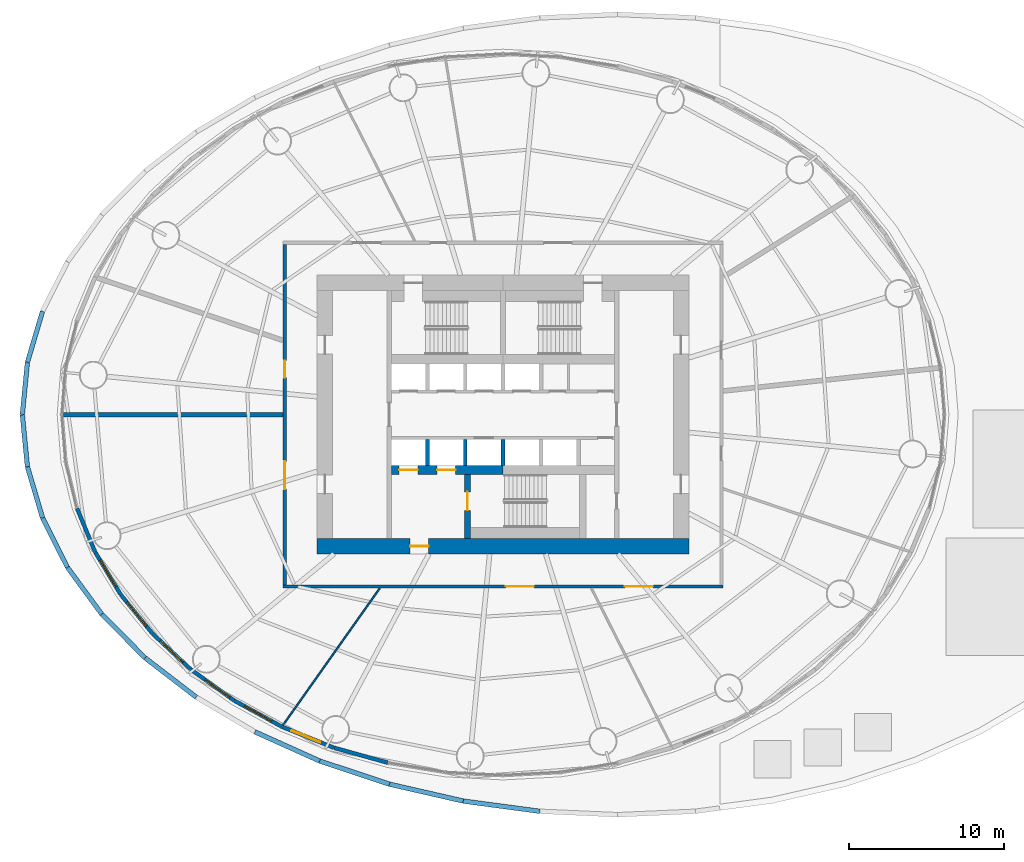
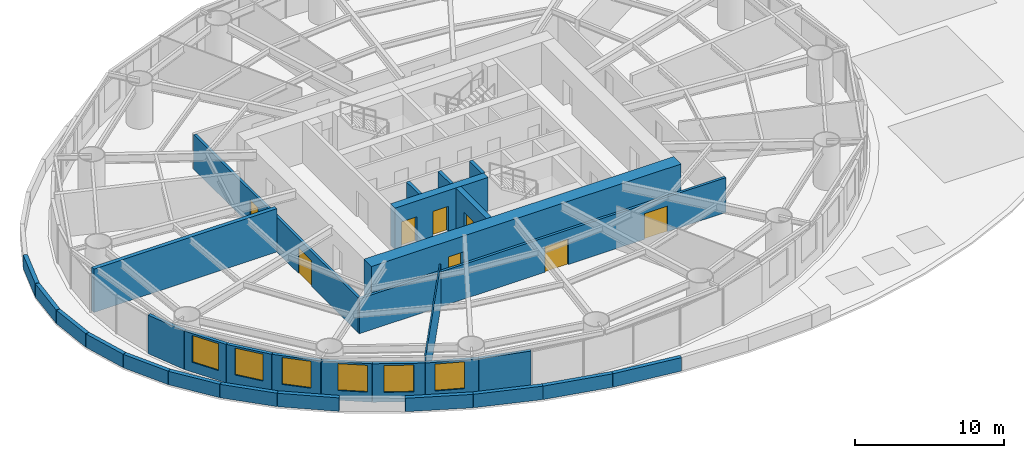
# One storey, part 7 of 11: 30 walls, 8 doors, 6 windows, 14 openings.
"""IFC4 building model written with IfcOpenShell, lengths in metres."""

from ifc_helpers import new_model, si_unit, direction, frame, frame_2d, origin, place, context, subcontext, project, spatial, rectangle, extrude, material, layer, layer_set, type_object, element, fill, save


model = new_model("IFC4")

# Units and contexts
model_context = context("Model", 3, precision=1e-05, world=origin(), true_north=direction((0.0, 1.0)))
body_context = subcontext(model_context, "Body", "Model", "MODEL_VIEW")
ifc_project = project(units=[si_unit("LENGTHUNIT", "METRE"), si_unit("AREAUNIT", "SQUARE_METRE"), si_unit("VOLUMEUNIT", "CUBIC_METRE"), si_unit("PLANEANGLEUNIT", "RADIAN"), si_unit("MASSUNIT", "GRAM", prefix="KILO")], contexts=[model_context])

# Site, building, storey
site_placement = place(None, origin())
site = spatial("IfcSite", under=ifc_project, at=site_placement, CompositionType="ELEMENT")
building_placement = place(site_placement, origin())
building = spatial("IfcBuilding", under=site, at=building_placement, Name="Vermilion Reach Broadcast Tower", CompositionType="ELEMENT")
storey_placement = place(building_placement, frame((0.0, 0.0, 36.0)))
storey = spatial("IfcBuildingStorey", under=building, at=storey_placement, Name="L05", CompositionType="ELEMENT", Elevation=36.0)

# Wall, opening, door
ifc_material_1 = material(Name="Concrete C70", Category="concrete")
ifc_layer_1 = layer(ifc_material_1, 0.39990234375)
ifc_layer_set_1 = layer_set([ifc_layer_1], Name="Core inner wall 400 mm Concrete C70")
wall_type_1 = type_object("IfcWallType", Name="Core inner wall 400 mm Concrete C70", PredefinedType="SHEAR", material=ifc_layer_set_1)
wall_1_placement = place(storey_placement, frame((-8.300048828125, -3.8798828125, 0.0), z_axis=(0.0, 0.0, 1.0), x_axis=(0.0, -1.0, 0.0)))
wall_1 = element("IfcWall", 1, at=wall_1_placement, inside=storey, type_object=wall_type_1, Name="L05 core wall wa", PredefinedType="SHEAR", context=body_context, shape_type="SweptSolid", body=[
    extrude(rectangle(XDim=4.1201171875, YDim=0.39990234375, at=frame_2d((2.06005859375, 0.0))), origin(), (0.0, 0.0, 1.0), 3.39990234375),
])
opening_1_placement = place(wall_1_placement, frame((1.110107421875, 0.0, 0.0)))
opening_1 = element("IfcOpeningElement", 2, at=opening_1_placement, cuts=wall_1, Name="Opening D01", PredefinedType="OPENING", context=body_context, shape_type="SweptSolid", body=[
    extrude(rectangle(XDim=1.199951171875, YDim=2.10009765625, at=frame_2d((0.60009765625, 1.050048828125))), frame((0.0, 0.2099609375, 0.0), z_axis=(0.0, -1.0, 0.0), x_axis=(1.0, 0.0, 0.0)), (0.0, 0.0, 1.0), 0.419921875),
])
ifc_material_2 = material(Name="Painted steel fire door", Category="steel")
door_type_1 = type_object("IfcDoorType", Name="Stair door 1200 x 2100", OperationType="DOUBLE_DOOR_SINGLE_SWING", PredefinedType="NOTDEFINED", material=ifc_material_2)
door_1_placement = place(opening_1_placement, origin())
door_1 = element("IfcDoor", 3, at=door_1_placement, inside=storey, type_object=door_type_1, Name="L05 stair door ST3", OperationType="DOUBLE_DOOR_SINGLE_SWING", OverallHeight=2.10009765625, OverallWidth=1.199951171875, PredefinedType="NOTDEFINED", context=body_context, shape_type="SweptSolid", body=[
    extrude(rectangle(XDim=1.199951171875, YDim=2.10009765625, at=frame_2d((0.60009765625, 1.050048828125))), frame((0.0, 0.02490234375, 0.0), z_axis=(0.0, -1.0, 0.0), x_axis=(1.0, 0.0, 0.0)), (0.0, 0.0, 1.0), 0.050048828125),
])
fill(opening_1, door_1)

# Wall, openings, doors
ifc_material_3 = material(Name="Concrete C70", Category="concrete")
ifc_layer_2 = layer(ifc_material_3, 0.60009765625)
ifc_layer_set_2 = layer_set([ifc_layer_2], Name="Core inner wall 600 mm Concrete C70")
wall_type_2 = type_object("IfcWallType", Name="Core inner wall 600 mm Concrete C70", PredefinedType="SHEAR", material=ifc_layer_set_2)
wall_2_placement = place(storey_placement, frame((-13.199951171875, -3.580078125, 0.0), z_axis=(0.0, 0.0, 1.0), x_axis=(1.0, 0.0, 0.0)))
wall_2 = element("IfcWall", 4, at=wall_2_placement, inside=storey, type_object=wall_type_2, Name="L05 core wall wisW", PredefinedType="SHEAR", context=body_context, shape_type="SweptSolid", body=[
    extrude(rectangle(XDim=7.199951171875, YDim=0.60009765625, at=frame_2d((3.60009765625, 0.0))), origin(), (0.0, 0.0, 1.0), 3.39990234375),
])
opening_2_placement = place(wall_2_placement, frame((0.495849609375, 0.0, 0.0)))
opening_2 = element("IfcOpeningElement", 5, at=opening_2_placement, cuts=wall_2, Name="Opening LD1", PredefinedType="OPENING", context=body_context, shape_type="SweptSolid", body=[
    extrude(rectangle(XDim=1.199951171875, YDim=2.10009765625, at=frame_2d((0.60009765625, 1.050048828125))), frame((0.0, 0.31005859375, 0.0), z_axis=(0.0, -1.0, 0.0), x_axis=(1.0, 0.0, 0.0)), (0.0, 0.0, 1.0), 0.6201171875),
])
opening_3_placement = place(wall_2_placement, frame((2.9375, 0.0, 0.0)))
opening_3 = element("IfcOpeningElement", 6, at=opening_3_placement, cuts=wall_2, Name="Opening LD1", PredefinedType="OPENING", context=body_context, shape_type="SweptSolid", body=[
    extrude(rectangle(XDim=1.199951171875, YDim=2.10009765625, at=frame_2d((0.60009765625, 1.050048828125))), frame((0.0, 0.31005859375, 0.0), z_axis=(0.0, -1.0, 0.0), x_axis=(1.0, 0.0, 0.0)), (0.0, 0.0, 1.0), 0.6201171875),
])
ifc_material_4 = material(Name="Stainless steel", Category="steel")
door_type_2 = type_object("IfcDoorType", Name="Landing door 1200 x 2100", OperationType="DOUBLE_DOOR_SLIDING", PredefinedType="NOTDEFINED", material=ifc_material_4)
door_2_placement = place(opening_2_placement, origin())
door_2 = element("IfcDoor", 7, at=door_2_placement, inside=storey, type_object=door_type_2, Name="L05 landing door FF1", OperationType="DOUBLE_DOOR_SLIDING", OverallHeight=2.10009765625, OverallWidth=1.199951171875, PredefinedType="NOTDEFINED", context=body_context, shape_type="SweptSolid", body=[
    extrude(rectangle(XDim=1.199951171875, YDim=2.10009765625, at=frame_2d((0.60009765625, 1.050048828125))), frame((0.0, 0.02490234375, 0.0), z_axis=(0.0, -1.0, 0.0), x_axis=(1.0, 0.0, 0.0)), (0.0, 0.0, 1.0), 0.050048828125),
])
fill(opening_2, door_2)
door_3_placement = place(opening_3_placement, origin())
door_3 = element("IfcDoor", 8, at=door_3_placement, inside=storey, type_object=door_type_2, Name="L05 landing door FF2", OperationType="DOUBLE_DOOR_SLIDING", OverallHeight=2.10009765625, OverallWidth=1.199951171875, PredefinedType="NOTDEFINED", context=body_context, shape_type="SweptSolid", body=[
    extrude(rectangle(XDim=1.199951171875, YDim=2.10009765625, at=frame_2d((0.60009765625, 1.050048828125))), frame((0.0, 0.02490234375, 0.0), z_axis=(0.0, -1.0, 0.0), x_axis=(1.0, 0.0, 0.0)), (0.0, 0.0, 1.0), 0.050048828125),
])
fill(opening_3, door_3)

# Wall, opening, door
ifc_material_5 = material(Name="Concrete C70", Category="concrete")
ifc_layer_3 = layer(ifc_material_5, 1.0)
ifc_layer_set_3 = layer_set([ifc_layer_3], Name="Core outer wall 1000 mm Concrete C70")
wall_type_3 = type_object("IfcWallType", Name="Core outer wall 1000 mm Concrete C70", PredefinedType="SHEAR", material=ifc_layer_set_3)
wall_3_placement = place(storey_placement, frame((-18.0, -8.5, 0.0), z_axis=(0.0, 0.0, 1.0), x_axis=(1.0, 0.0, 0.0)))
wall_3 = element("IfcWall", 9, at=wall_3_placement, inside=storey, type_object=wall_type_3, Name="L05 core wall os", PredefinedType="SHEAR", context=body_context, shape_type="SweptSolid", body=[
    extrude(rectangle(XDim=24.0, YDim=1.0, at=frame_2d((12.0, 0.0))), origin(), (0.0, 0.0, 1.0), 3.39990234375),
])
opening_4_placement = place(wall_3_placement, frame((6.0, 0.0, 0.0)))
opening_4 = element("IfcOpeningElement", 10, at=opening_4_placement, cuts=wall_3, Name="Opening D02", PredefinedType="OPENING", context=body_context, shape_type="SweptSolid", body=[
    extrude(rectangle(XDim=1.199951171875, YDim=2.10009765625, at=frame_2d((0.60009765625, 1.050048828125))), frame((0.0, 0.510009765625, 0.0), z_axis=(0.0, -1.0, 0.0), x_axis=(1.0, 0.0, 0.0)), (0.0, 0.0, 1.0), 1.02001953125),
])
ifc_material_6 = material(Name="Painted steel fire door", Category="steel")
door_type_3 = type_object("IfcDoorType", Name="Firefighting lobby door 1200 x 2100", OperationType="DOUBLE_DOOR_SINGLE_SWING", PredefinedType="NOTDEFINED", material=ifc_material_6)
door_4_placement = place(opening_4_placement, origin())
door_4 = element("IfcDoor", 11, at=door_4_placement, inside=storey, type_object=door_type_3, Name="L05 ffdoor door FFL", OperationType="DOUBLE_DOOR_SINGLE_SWING", OverallHeight=2.10009765625, OverallWidth=1.199951171875, PredefinedType="NOTDEFINED", context=body_context, shape_type="SweptSolid", body=[
    extrude(rectangle(XDim=1.199951171875, YDim=2.10009765625, at=frame_2d((0.60009765625, 1.050048828125))), frame((0.0, 0.02490234375, 0.0), z_axis=(0.0, -1.0, 0.0), x_axis=(1.0, 0.0, 0.0)), (0.0, 0.0, 1.0), 0.050048828125),
])
fill(opening_4, door_4)

# Walls
ifc_material_7 = material(Name="Concrete C50", Category="concrete")
ifc_layer_4 = layer(ifc_material_7, 0.25)
ifc_layer_set_4 = layer_set([ifc_layer_4], Name="Core shaft wall 250 mm Concrete C50")
wall_type_4 = type_object("IfcWallType", Name="Core shaft wall 250 mm Concrete C50", PredefinedType="SHEAR", material=ifc_layer_set_4)
for number, where, z_axis, x_axis, name in (
    (12, (-10.88330078125, -1.60009765625, 0.0), (0.0, 0.0, 1.0), (0.0, -1.0, 0.0), "L05 core wall psS0"),
    (13, (-8.441650390625, -1.60009765625, 0.0), (0.0, 0.0, 1.0), (0.0, -1.0, 0.0), "L05 core wall psS1"),
    (14, (-6.0, -1.60009765625, 0.0), (0.0, 0.0, 1.0), (0.0, -1.0, 0.0), "L05 core wall psS2"),
):
    element("IfcWall", number, at=place(storey_placement, frame(where, z_axis=z_axis, x_axis=x_axis)), inside=storey, type_object=wall_type_4, Name=name, PredefinedType="SHEAR", context=body_context, shape_type="SweptSolid", body=[
        extrude(rectangle(XDim=1.679931640625, YDim=0.25, at=frame_2d((0.83984375, 0.0))), origin(), (0.0, 0.0, 1.0), 3.39990234375),
    ])
ifc_material_8 = material(Name="Plasterboard on steel stud", Category="steel")
ifc_layer_5 = layer(ifc_material_8, 0.10009765625)
ifc_layer_set_5 = layer_set([ifc_layer_5], Name="Partition 100 steel stud")
wall_type_5 = type_object("IfcWallType", Name="Partition 100 steel stud", PredefinedType="PARTITIONING", material=ifc_layer_set_5)
wall_4_placement = place(storey_placement, frame((-20.21826171875, -20.053955078125, 0.0), z_axis=(0.0, 0.0, 1.0), x_axis=(0.578391097438, 0.815759608221, 0.0)))
element("IfcWall", 15, at=wall_4_placement, inside=storey, type_object=wall_type_5, Name="Partition 5.07", PredefinedType="PARTITIONING", context=body_context, shape_type="SweptSolid", body=[
    extrude(rectangle(XDim=10.818115234375, YDim=0.10009765625, at=frame_2d((5.4091796875, 0.0))), origin(), (0.0, 0.0, 1.0), 3.550048828125),
])
ifc_material_9 = material(Name="Double-leaf plasterboard on isolated steel stud", Category="steel")
ifc_layer_6 = layer(ifc_material_9, 0.300048828125)
ifc_layer_set_6 = layer_set([ifc_layer_6], Name="Partition 300 acoustic double leaf")
wall_type_6 = type_object("IfcWallType", Name="Partition 300 acoustic double leaf", PredefinedType="PARTITIONING", material=ifc_layer_set_6)
wall_5_placement = place(storey_placement, frame((-34.375, 0.0, 0.0), z_axis=(0.0, 0.0, 1.0), x_axis=(1.0, 0.0, 0.0)))
element("IfcWall", 16, at=wall_5_placement, inside=storey, type_object=wall_type_6, Name="Partition 5.06", PredefinedType="PARTITIONING", context=body_context, shape_type="SweptSolid", body=[
    extrude(rectangle(XDim=14.175048828125, YDim=0.300048828125, at=frame_2d((7.08740234375, 0.0))), origin(), (0.0, 0.0, 1.0), 3.550048828125),
])
ifc_material_10 = material(Name="Precast concrete C40/50", Category="concrete")
ifc_layer_7 = layer(ifc_material_10, 0.300048828125)
ifc_layer_set_7 = layer_set([ifc_layer_7], Name="Podium parapet 300")
wall_type_7 = type_object("IfcWallType", Name="Podium parapet 300", PredefinedType="PARAPET", material=ifc_layer_set_7)
wall_6_placement = place(storey_placement, frame((-35.750244140625, 6.6611328125, 0.0), z_axis=(0.0, 0.0, 1.0), x_axis=(-0.283235812456, -0.959050298234, 0.0)))
element("IfcWall", 17, at=wall_6_placement, inside=storey, type_object=wall_type_7, Name="Podium parapet 13", PredefinedType="PARAPET", context=body_context, shape_type="SweptSolid", body=[
    extrude(rectangle(XDim=3.4228515625, YDim=0.300048828125, at=frame_2d((1.71142578125, 0.0))), origin(), (0.0, 0.0, 1.0), 1.10009765625),
])
for number, where, z_axis, x_axis, name in (
    (18, (-36.72509765625, 3.350830078125, 0.0), (0.0, 0.0, 1.0), (-0.096864175375, -0.995297609526, 0.0), "Podium parapet 14"),
    (19, (-37.0498046875, -0.014404296875, 0.0), (0.0, 0.0, 1.0), (0.096864175375, -0.995297609526, 0.0), "Podium parapet 15"),
):
    element("IfcWall", number, at=place(storey_placement, frame(where, z_axis=z_axis, x_axis=x_axis)), inside=storey, type_object=wall_type_7, Name=name, PredefinedType="PARAPET", context=body_context, shape_type="SweptSolid", body=[
        extrude(rectangle(XDim=3.352294921875, YDim=0.300048828125, at=frame_2d((1.67626953125, 0.0))), origin(), (0.0, 0.0, 1.0), 1.10009765625),
    ])
wall_7_placement = place(storey_placement, frame((-36.7197265625, -3.37841796875, 0.0), z_axis=(0.0, 0.0, 1.0), x_axis=(0.283235812456, -0.959050298234, 0.0)))
element("IfcWall", 20, at=wall_7_placement, inside=storey, type_object=wall_type_7, Name="Podium parapet 16", PredefinedType="PARAPET", context=body_context, shape_type="SweptSolid", body=[
    extrude(rectangle(XDim=3.4228515625, YDim=0.300048828125, at=frame_2d((1.71142578125, 0.0))), origin(), (0.0, 0.0, 1.0), 1.10009765625),
])
wall_8_placement = place(storey_placement, frame((-35.740478515625, -6.685791015625, 0.0), z_axis=(0.0, 0.0, 1.0), x_axis=(0.450095618006, -0.892980366331, 0.0)))
element("IfcWall", 21, at=wall_8_placement, inside=storey, type_object=wall_type_7, Name="Podium parapet 17", PredefinedType="PARAPET", context=body_context, shape_type="SweptSolid", body=[
    extrude(rectangle(XDim=3.554931640625, YDim=0.300048828125, at=frame_2d((1.77734375, 0.0))), origin(), (0.0, 0.0, 1.0), 1.10009765625),
])
wall_9_placement = place(storey_placement, frame((-34.127685546875, -9.881103515625, 0.0), z_axis=(0.0, 0.0, 1.0), x_axis=(0.590742651478, -0.806860037258, 0.0)))
element("IfcWall", 22, at=wall_9_placement, inside=storey, type_object=wall_type_7, Name="Podium parapet 18", PredefinedType="PARAPET", context=body_context, shape_type="SweptSolid", body=[
    extrude(rectangle(XDim=3.733642578125, YDim=0.300048828125, at=frame_2d((1.86669921875, 0.0))), origin(), (0.0, 0.0, 1.0), 1.10009765625),
])
wall_10_placement = place(storey_placement, frame((-31.90771484375, -12.910400390625, 0.0), z_axis=(0.0, 0.0, 1.0), x_axis=(0.704282546554, -0.709919780412, 0.0)))
element("IfcWall", 23, at=wall_10_placement, inside=storey, type_object=wall_type_7, Name="Podium parapet 19", PredefinedType="PARAPET", context=body_context, shape_type="SweptSolid", body=[
    extrude(rectangle(XDim=3.941162109375, YDim=0.300048828125, at=frame_2d((1.970703125, 0.0))), origin(), (0.0, 0.0, 1.0), 1.10009765625),
])
wall_11_placement = place(storey_placement, frame((-29.117431640625, -15.72119140625, 0.0), z_axis=(0.0, 0.0, 1.0), x_axis=(0.793088450724, -0.609106484392, 0.0)))
element("IfcWall", 24, at=wall_11_placement, inside=storey, type_object=wall_type_7, Name="Podium parapet 20", PredefinedType="PARAPET", context=body_context, shape_type="SweptSolid", body=[
    extrude(rectangle(XDim=4.16015625, YDim=0.300048828125, at=frame_2d((2.080078125, 0.0))), origin(), (0.0, 0.0, 1.0), 1.10009765625),
])
wall_12_placement = place(storey_placement, frame((-22.0224609375, -20.49755859375, 0.0), z_axis=(0.0, 0.0, 1.0), x_axis=(0.911912513487, -0.410384658274, 0.0)))
element("IfcWall", 25, at=wall_12_placement, inside=storey, type_object=wall_type_7, Name="Podium parapet 22", PredefinedType="PARAPET", context=body_context, shape_type="SweptSolid", body=[
    extrude(rectangle(XDim=4.572509765625, YDim=0.300048828125, at=frame_2d((2.2861328125, 0.0))), origin(), (0.0, 0.0, 1.0), 1.10009765625),
])
wall_13_placement = place(storey_placement, frame((-17.8388671875, -22.37939453125, 0.0), z_axis=(0.0, 0.0, 1.0), x_axis=(0.949007114017, -0.315254655071, 0.0)))
element("IfcWall", 26, at=wall_13_placement, inside=storey, type_object=wall_type_7, Name="Podium parapet 23", PredefinedType="PARAPET", context=body_context, shape_type="SweptSolid", body=[
    extrude(rectangle(XDim=4.74267578125, YDim=0.300048828125, at=frame_2d((2.371337890625, 0.0))), origin(), (0.0, 0.0, 1.0), 1.10009765625),
])
wall_14_placement = place(storey_placement, frame((-13.32470703125, -23.878173828125, 0.0), z_axis=(0.0, 0.0, 1.0), x_axis=(0.974849806662, -0.222862860186, 0.0)))
element("IfcWall", 27, at=wall_14_placement, inside=storey, type_object=wall_type_7, Name="Podium parapet 24", PredefinedType="PARAPET", context=body_context, shape_type="SweptSolid", body=[
    extrude(rectangle(XDim=4.876953125, YDim=0.300048828125, at=frame_2d((2.4384765625, 0.0))), origin(), (0.0, 0.0, 1.0), 1.10009765625),
])
wall_15_placement = place(storey_placement, frame((-8.557373046875, -24.967529296875, 0.0), z_axis=(0.0, 0.0, 1.0), x_axis=(0.991144901641, -0.132784727852, 0.0)))
element("IfcWall", 28, at=wall_15_placement, inside=storey, type_object=wall_type_7, Name="Podium parapet 25", PredefinedType="PARAPET", context=body_context, shape_type="SweptSolid", body=[
    extrude(rectangle(XDim=4.9697265625, YDim=0.300048828125, at=frame_2d((2.48486328125, 0.0))), origin(), (0.0, 0.0, 1.0), 1.10009765625),
])
ifc_material_11 = material(Name="Terracotta rainscreen cladding", Category="masonry")
ifc_layer_8 = layer(ifc_material_11, 0.25)
ifc_layer_set_8 = layer_set([ifc_layer_8], Name="Terracotta rainscreen wall 250")
wall_type_8 = type_object("IfcWallType", Name="Terracotta rainscreen wall 250", PredefinedType="SOLIDWALL", material=ifc_layer_set_8)
wall_16_placement = place(storey_placement, frame((-33.512451171875, -6.065673828125, 0.0), z_axis=(0.0, 0.0, 1.0), x_axis=(0.382665181283, -0.923887092146, 0.0)))
element("IfcWall", 29, at=wall_16_placement, inside=storey, type_object=wall_type_8, Name="External wall L05 26", PredefinedType="SOLIDWALL", context=body_context, shape_type="SweptSolid", body=[
    extrude(rectangle(XDim=3.05029296875, YDim=0.25, at=frame_2d((1.525146484375, 0.0))), origin(), (0.0, 0.0, 1.0), 3.14990234375),
])

# Wall, opening, window
wall_17_placement = place(storey_placement, frame((-32.3330078125, -8.907470703125, 0.0), z_axis=(0.0, 0.0, 1.0), x_axis=(0.51563096518, -0.856810777096, 0.0)))
wall_17 = element("IfcWall", 30, at=wall_17_placement, inside=storey, type_object=wall_type_8, Name="External wall L05 27", PredefinedType="SOLIDWALL", context=body_context, shape_type="SweptSolid", body=[
    extrude(rectangle(XDim=3.161376953125, YDim=0.25, at=frame_2d((1.58056640625, 0.0))), origin(), (0.0, 0.0, 1.0), 3.14990234375),
])
opening_5_placement = place(wall_17_placement, frame((0.580810546875, 0.0, 0.800048828125)))
opening_5 = element("IfcOpeningElement", 31, at=opening_5_placement, cuts=wall_17, Name="Opening W01", PredefinedType="OPENING", context=body_context, shape_type="SweptSolid", body=[
    extrude(rectangle(XDim=2.0, YDim=2.199951171875, at=frame_2d((1.0, 1.10009765625))), frame((0.0, 0.135009765625, 0.0), z_axis=(0.0, -1.0, 0.0), x_axis=(1.0, 0.0, 0.0)), (0.0, 0.0, 1.0), 0.27001953125),
])
ifc_material_12 = material(Name="Low-e laminated clear glass in aluminium frame", Category="aluminium")
window_type = type_object("IfcWindowType", Name="Punched window 2000 x 2200 sill 800", PartitioningType="SINGLE_PANEL", PredefinedType="WINDOW", material=ifc_material_12)
window_1_placement = place(opening_5_placement, origin())
window_1 = element("IfcWindow", 32, at=window_1_placement, inside=storey, type_object=window_type, Name="Window L05 27", OverallHeight=2.199951171875, OverallWidth=2.0, PartitioningType="SINGLE_PANEL", PredefinedType="WINDOW", context=body_context, shape_type="SweptSolid", body=[
    extrude(rectangle(XDim=2.0, YDim=2.199951171875, at=frame_2d((1.0, 1.10009765625))), frame((0.0, 0.030029296875, 0.0), z_axis=(0.0, -1.0, 0.0), x_axis=(1.0, 0.0, 0.0)), (0.0, 0.0, 1.0), 0.06005859375),
])
fill(opening_5, window_1)

wall_18_placement = place(storey_placement, frame((-30.688232421875, -11.63720703125, 0.0), z_axis=(0.0, 0.0, 1.0), x_axis=(0.631970989947, -0.774992043743, 0.0)))
wall_18 = element("IfcWall", 33, at=wall_18_placement, inside=storey, type_object=wall_type_8, Name="External wall L05 28", PredefinedType="SOLIDWALL", context=body_context, shape_type="SweptSolid", body=[
    extrude(rectangle(XDim=3.2451171875, YDim=0.25, at=frame_2d((1.62255859375, 0.0))), origin(), (0.0, 0.0, 1.0), 3.14990234375),
])
opening_6_placement = place(wall_18_placement, frame((0.62255859375, 0.0, 0.800048828125)))
opening_6 = element("IfcOpeningElement", 34, at=opening_6_placement, cuts=wall_18, Name="Opening W01", PredefinedType="OPENING", context=body_context, shape_type="SweptSolid", body=[
    extrude(rectangle(XDim=2.0, YDim=2.199951171875, at=frame_2d((1.0, 1.10009765625))), frame((0.0, 0.135009765625, 0.0), z_axis=(0.0, -1.0, 0.0), x_axis=(1.0, 0.0, 0.0)), (0.0, 0.0, 1.0), 0.27001953125),
])
window_2_placement = place(opening_6_placement, origin())
window_2 = element("IfcWindow", 35, at=window_2_placement, inside=storey, type_object=window_type, Name="Window L05 28", OverallHeight=2.199951171875, OverallWidth=2.0, PartitioningType="SINGLE_PANEL", PredefinedType="WINDOW", context=body_context, shape_type="SweptSolid", body=[
    extrude(rectangle(XDim=2.0, YDim=2.199951171875, at=frame_2d((1.0, 1.10009765625))), frame((0.0, 0.030029296875, 0.0), z_axis=(0.0, -1.0, 0.0), x_axis=(1.0, 0.0, 0.0)), (0.0, 0.0, 1.0), 0.06005859375),
])
fill(opening_6, window_2)

wall_19_placement = place(storey_placement, frame((-28.62060546875, -14.170166015625, 0.0), z_axis=(0.0, 0.0, 1.0), x_axis=(0.730670592597, -0.682730170063, 0.0)))
wall_19 = element("IfcWall", 36, at=wall_19_placement, inside=storey, type_object=wall_type_8, Name="External wall L05 29", PredefinedType="SOLIDWALL", context=body_context, shape_type="SweptSolid", body=[
    extrude(rectangle(XDim=3.335693359375, YDim=0.25, at=frame_2d((1.66796875, 0.0))), origin(), (0.0, 0.0, 1.0), 3.14990234375),
])
opening_7_placement = place(wall_19_placement, frame((0.667724609375, 0.0, 0.800048828125)))
opening_7 = element("IfcOpeningElement", 37, at=opening_7_placement, cuts=wall_19, Name="Opening W01", PredefinedType="OPENING", context=body_context, shape_type="SweptSolid", body=[
    extrude(rectangle(XDim=2.0, YDim=2.199951171875, at=frame_2d((1.0, 1.10009765625))), frame((0.0, 0.135009765625, 0.0), z_axis=(0.0, -1.0, 0.0), x_axis=(1.0, 0.0, 0.0)), (0.0, 0.0, 1.0), 0.27001953125),
])
window_3_placement = place(opening_7_placement, origin())
window_3 = element("IfcWindow", 38, at=window_3_placement, inside=storey, type_object=window_type, Name="Window L05 29", OverallHeight=2.199951171875, OverallWidth=2.0, PartitioningType="SINGLE_PANEL", PredefinedType="WINDOW", context=body_context, shape_type="SweptSolid", body=[
    extrude(rectangle(XDim=2.0, YDim=2.199951171875, at=frame_2d((1.0, 1.10009765625))), frame((0.0, 0.030029296875, 0.0), z_axis=(0.0, -1.0, 0.0), x_axis=(1.0, 0.0, 0.0)), (0.0, 0.0, 1.0), 0.06005859375),
])
fill(opening_7, window_3)

wall_20_placement = place(storey_placement, frame((-26.164794921875, -16.462646484375, 0.0), z_axis=(0.0, 0.0, 1.0), x_axis=(0.812059685452, -0.5835743888, 0.0)))
wall_20 = element("IfcWall", 39, at=wall_20_placement, inside=storey, type_object=wall_type_8, Name="External wall L05 30", PredefinedType="SOLIDWALL", context=body_context, shape_type="SweptSolid", body=[
    extrude(rectangle(XDim=3.4267578125, YDim=0.25, at=frame_2d((1.71337890625, 0.0))), origin(), (0.0, 0.0, 1.0), 3.14990234375),
])
opening_8_placement = place(wall_20_placement, frame((1.113037109375, 0.0, 0.800048828125)))
opening_8 = element("IfcOpeningElement", 40, at=opening_8_placement, cuts=wall_20, Name="Opening W01", PredefinedType="OPENING", context=body_context, shape_type="SweptSolid", body=[
    extrude(rectangle(XDim=2.0, YDim=2.199951171875, at=frame_2d((1.0, 1.10009765625))), frame((0.0, 0.135009765625, 0.0), z_axis=(0.0, -1.0, 0.0), x_axis=(1.0, 0.0, 0.0)), (0.0, 0.0, 1.0), 0.27001953125),
])
window_4_placement = place(opening_8_placement, origin())
window_4 = element("IfcWindow", 41, at=window_4_placement, inside=storey, type_object=window_type, Name="Window L05 30", OverallHeight=2.199951171875, OverallWidth=2.0, PartitioningType="SINGLE_PANEL", PredefinedType="WINDOW", context=body_context, shape_type="SweptSolid", body=[
    extrude(rectangle(XDim=2.0, YDim=2.199951171875, at=frame_2d((1.0, 1.10009765625))), frame((0.0, 0.030029296875, 0.0), z_axis=(0.0, -1.0, 0.0), x_axis=(1.0, 0.0, 0.0)), (0.0, 0.0, 1.0), 0.06005859375),
])
fill(opening_8, window_4)

wall_21_placement = place(storey_placement, frame((-23.3623046875, -18.474853515625, 0.0), z_axis=(0.0, 0.0, 1.0), x_axis=(0.8771213679, -0.480268785134, 0.0)))
wall_21 = element("IfcWall", 42, at=wall_21_placement, inside=storey, type_object=wall_type_8, Name="External wall L05 31", PredefinedType="SOLIDWALL", context=body_context, shape_type="SweptSolid", body=[
    extrude(rectangle(XDim=3.51220703125, YDim=0.25, at=frame_2d((1.756103515625, 0.0))), origin(), (0.0, 0.0, 1.0), 3.14990234375),
])
opening_9_placement = place(wall_21_placement, frame((0.756103515625, 0.0, 0.800048828125)))
opening_9 = element("IfcOpeningElement", 43, at=opening_9_placement, cuts=wall_21, Name="Opening W01", PredefinedType="OPENING", context=body_context, shape_type="SweptSolid", body=[
    extrude(rectangle(XDim=2.0, YDim=2.199951171875, at=frame_2d((1.0, 1.10009765625))), frame((0.0, 0.135009765625, 0.0), z_axis=(0.0, -1.0, 0.0), x_axis=(1.0, 0.0, 0.0)), (0.0, 0.0, 1.0), 0.27001953125),
])
window_5_placement = place(opening_9_placement, origin())
window_5 = element("IfcWindow", 44, at=window_5_placement, inside=storey, type_object=window_type, Name="Window L05 31", OverallHeight=2.199951171875, OverallWidth=2.0, PartitioningType="SINGLE_PANEL", PredefinedType="WINDOW", context=body_context, shape_type="SweptSolid", body=[
    extrude(rectangle(XDim=2.0, YDim=2.199951171875, at=frame_2d((1.0, 1.10009765625))), frame((0.0, 0.030029296875, 0.0), z_axis=(0.0, -1.0, 0.0), x_axis=(1.0, 0.0, 0.0)), (0.0, 0.0, 1.0), 0.06005859375),
])
fill(opening_9, window_5)

wall_22_placement = place(storey_placement, frame((-20.26123046875, -20.171142578125, 0.0), z_axis=(0.0, 0.0, 1.0), x_axis=(0.927147291409, -0.374697077694, 0.0)))
wall_22 = element("IfcWall", 45, at=wall_22_placement, inside=storey, type_object=wall_type_8, Name="External wall L05 32", PredefinedType="SOLIDWALL", context=body_context, shape_type="SweptSolid", body=[
    extrude(rectangle(XDim=3.587646484375, YDim=0.25, at=frame_2d((1.7939453125, 0.0))), origin(), (0.0, 0.0, 1.0), 3.14990234375),
])
opening_10_placement = place(wall_22_placement, frame((0.64404296875, 0.0, 0.800048828125)))
opening_10 = element("IfcOpeningElement", 46, at=opening_10_placement, cuts=wall_22, Name="Opening W01", PredefinedType="OPENING", context=body_context, shape_type="SweptSolid", body=[
    extrude(rectangle(XDim=2.0, YDim=2.199951171875, at=frame_2d((1.0, 1.10009765625))), frame((0.0, 0.135009765625, 0.0), z_axis=(0.0, -1.0, 0.0), x_axis=(1.0, 0.0, 0.0)), (0.0, 0.0, 1.0), 0.27001953125),
])
window_6_placement = place(opening_10_placement, origin())
window_6 = element("IfcWindow", 47, at=window_6_placement, inside=storey, type_object=window_type, Name="Window L05 32", OverallHeight=2.199951171875, OverallWidth=2.0, PartitioningType="SINGLE_PANEL", PredefinedType="WINDOW", context=body_context, shape_type="SweptSolid", body=[
    extrude(rectangle(XDim=2.0, YDim=2.199951171875, at=frame_2d((1.0, 1.10009765625))), frame((0.0, 0.030029296875, 0.0), z_axis=(0.0, -1.0, 0.0), x_axis=(1.0, 0.0, 0.0)), (0.0, 0.0, 1.0), 0.06005859375),
])
fill(opening_10, window_6)

# Wall
wall_23_placement = place(storey_placement, frame((-16.914306640625, -21.5224609375, 0.0), z_axis=(0.0, 0.0, 1.0), x_axis=(0.963430499259, -0.267958342093, 0.0)))
element("IfcWall", 48, at=wall_23_placement, inside=storey, type_object=wall_type_8, Name="External wall L05 33", PredefinedType="SOLIDWALL", context=body_context, shape_type="SweptSolid", body=[
    extrude(rectangle(XDim=3.603515625, YDim=0.25, at=frame_2d((1.8017578125, 0.0))), origin(), (0.0, 0.0, 1.0), 3.14990234375),
])

# Wall, openings, doors
ifc_material_13 = material(Name="Fire-rated gypsum board partition")
ifc_layer_9 = layer(ifc_material_13, 0.199951171875)
ifc_layer_set_9 = layer_set([ifc_layer_9], Name="Under girder: Corridor wall 200 fire-rated")
wall_type_9 = type_object("IfcWallType", Name="Under girder: Corridor wall 200 fire-rated", PredefinedType="PARTITIONING", material=ifc_layer_set_9)
wall_24_placement = place(storey_placement, frame((8.199951171875, -11.10009765625, 0.0), z_axis=(0.0, 0.0, 1.0), x_axis=(-1.0, 0.0, 0.0)))
wall_24 = element("IfcWall", 49, at=wall_24_placement, inside=storey, type_object=wall_type_9, Name="Corridor wall 5.S", PredefinedType="PARTITIONING", context=body_context, shape_type="SweptSolid", body=[
    extrude(rectangle(XDim=28.39990234375, YDim=0.199951171875, at=frame_2d((14.199951171875, 0.0))), origin(), (0.0, 0.0, 1.0), 2.85009765625),
])
opening_11_placement = place(wall_24_placement, frame((12.21484375, 0.0, 0.0)))
opening_11 = element("IfcOpeningElement", 50, at=opening_11_placement, cuts=wall_24, Name="Opening D21", PredefinedType="OPENING", context=body_context, shape_type="SweptSolid", body=[
    extrude(rectangle(XDim=1.800048828125, YDim=2.10009765625, at=frame_2d((0.89990234375, 1.050048828125))), frame((0.0, 0.10986328125, 0.0), z_axis=(0.0, -1.0, 0.0), x_axis=(1.0, 0.0, 0.0)), (0.0, 0.0, 1.0), 0.219970703125),
])
opening_12_placement = place(wall_24_placement, frame((4.5224609375, 0.0, 0.0)))
opening_12 = element("IfcOpeningElement", 51, at=opening_12_placement, cuts=wall_24, Name="Opening D21", PredefinedType="OPENING", context=body_context, shape_type="SweptSolid", body=[
    extrude(rectangle(XDim=1.800048828125, YDim=2.10009765625, at=frame_2d((0.89990234375, 1.050048828125))), frame((0.0, 0.10986328125, 0.0), z_axis=(0.0, -1.0, 0.0), x_axis=(1.0, 0.0, 0.0)), (0.0, 0.0, 1.0), 0.219970703125),
])
ifc_material_14 = material(Name="Timber door leaf", Category="wood")
door_type_4 = type_object("IfcDoorType", Name="Door pair 1800x2100", OperationType="NOTDEFINED", PredefinedType="DOOR", material=ifc_material_14)
door_5_placement = place(opening_11_placement, origin())
door_5 = element("IfcDoor", 52, at=door_5_placement, inside=storey, type_object=door_type_4, Name="Door 5.07", OperationType="DOUBLE_DOOR_SINGLE_SWING", OverallHeight=2.10009765625, OverallWidth=1.800048828125, PredefinedType="DOOR", context=body_context, shape_type="SweptSolid", body=[
    extrude(rectangle(XDim=1.800048828125, YDim=2.10009765625, at=frame_2d((0.89990234375, 1.050048828125))), frame((0.0, 0.02490234375, 0.0), z_axis=(0.0, -1.0, 0.0), x_axis=(1.0, 0.0, 0.0)), (0.0, 0.0, 1.0), 0.050048828125),
])
fill(opening_11, door_5)
door_6_placement = place(opening_12_placement, origin())
door_6 = element("IfcDoor", 53, at=door_6_placement, inside=storey, type_object=door_type_4, Name="Door 5.08", OperationType="DOUBLE_DOOR_SINGLE_SWING", OverallHeight=2.10009765625, OverallWidth=1.800048828125, PredefinedType="DOOR", context=body_context, shape_type="SweptSolid", body=[
    extrude(rectangle(XDim=1.800048828125, YDim=2.10009765625, at=frame_2d((0.89990234375, 1.050048828125))), frame((0.0, 0.02490234375, 0.0), z_axis=(0.0, -1.0, 0.0), x_axis=(1.0, 0.0, 0.0)), (0.0, 0.0, 1.0), 0.050048828125),
])
fill(opening_12, door_6)

wall_25_placement = place(storey_placement, frame((-20.10009765625, -11.0, 0.0), z_axis=(0.0, 0.0, 1.0), x_axis=(0.0, 1.0, 0.0)))
wall_25 = element("IfcWall", 54, at=wall_25_placement, inside=storey, type_object=wall_type_9, Name="Corridor wall 5.W", PredefinedType="PARTITIONING", context=body_context, shape_type="SweptSolid", body=[
    extrude(rectangle(XDim=22.0, YDim=0.199951171875, at=frame_2d((11.0, 0.0))), origin(), (0.0, 0.0, 1.0), 2.85009765625),
])
opening_13_placement = place(wall_25_placement, frame((13.380126953125, 0.0, 0.0)))
opening_13 = element("IfcOpeningElement", 55, at=opening_13_placement, cuts=wall_25, Name="Opening D28", PredefinedType="OPENING", context=body_context, shape_type="SweptSolid", body=[
    extrude(rectangle(XDim=1.10009765625, YDim=2.10009765625, at=frame_2d((0.550048828125, 1.050048828125))), frame((0.0, 0.10986328125, 0.0), z_axis=(0.0, -1.0, 0.0), x_axis=(1.0, 0.0, 0.0)), (0.0, 0.0, 1.0), 0.219970703125),
])
opening_14_placement = place(wall_25_placement, frame((6.179931640625, 0.0, 0.0)))
opening_14 = element("IfcOpeningElement", 56, at=opening_14_placement, cuts=wall_25, Name="Opening D21", PredefinedType="OPENING", context=body_context, shape_type="SweptSolid", body=[
    extrude(rectangle(XDim=1.800048828125, YDim=2.10009765625, at=frame_2d((0.89990234375, 1.050048828125))), frame((0.0, 0.10986328125, 0.0), z_axis=(0.0, -1.0, 0.0), x_axis=(1.0, 0.0, 0.0)), (0.0, 0.0, 1.0), 0.219970703125),
])
door_7_placement = place(opening_14_placement, origin())
door_7 = element("IfcDoor", 57, at=door_7_placement, inside=storey, type_object=door_type_4, Name="Door 5.06", OperationType="DOUBLE_DOOR_SINGLE_SWING", OverallHeight=2.10009765625, OverallWidth=1.800048828125, PredefinedType="DOOR", context=body_context, shape_type="SweptSolid", body=[
    extrude(rectangle(XDim=1.800048828125, YDim=2.10009765625, at=frame_2d((0.89990234375, 1.050048828125))), frame((0.0, 0.02490234375, 0.0), z_axis=(0.0, -1.0, 0.0), x_axis=(1.0, 0.0, 0.0)), (0.0, 0.0, 1.0), 0.050048828125),
])
fill(opening_14, door_7)
ifc_material_15 = material(Name="Acoustic sound-lock door leaf")
door_type_5 = type_object("IfcDoorType", Name="Door single 1100x2100", OperationType="NOTDEFINED", PredefinedType="DOOR", material=ifc_material_15)
door_8_placement = place(opening_13_placement, origin())
door_8 = element("IfcDoor", 58, at=door_8_placement, inside=storey, type_object=door_type_5, Name="Door 5.05", OperationType="SINGLE_SWING_RIGHT", OverallHeight=2.10009765625, OverallWidth=1.10009765625, PredefinedType="DOOR", context=body_context, shape_type="SweptSolid", body=[
    extrude(rectangle(XDim=1.10009765625, YDim=2.10009765625, at=frame_2d((0.550048828125, 1.050048828125))), frame((0.0, 0.02490234375, 0.0), z_axis=(0.0, -1.0, 0.0), x_axis=(1.0, 0.0, 0.0)), (0.0, 0.0, 1.0), 0.050048828125),
])
fill(opening_13, door_8)

save(model, "model.ifc")
